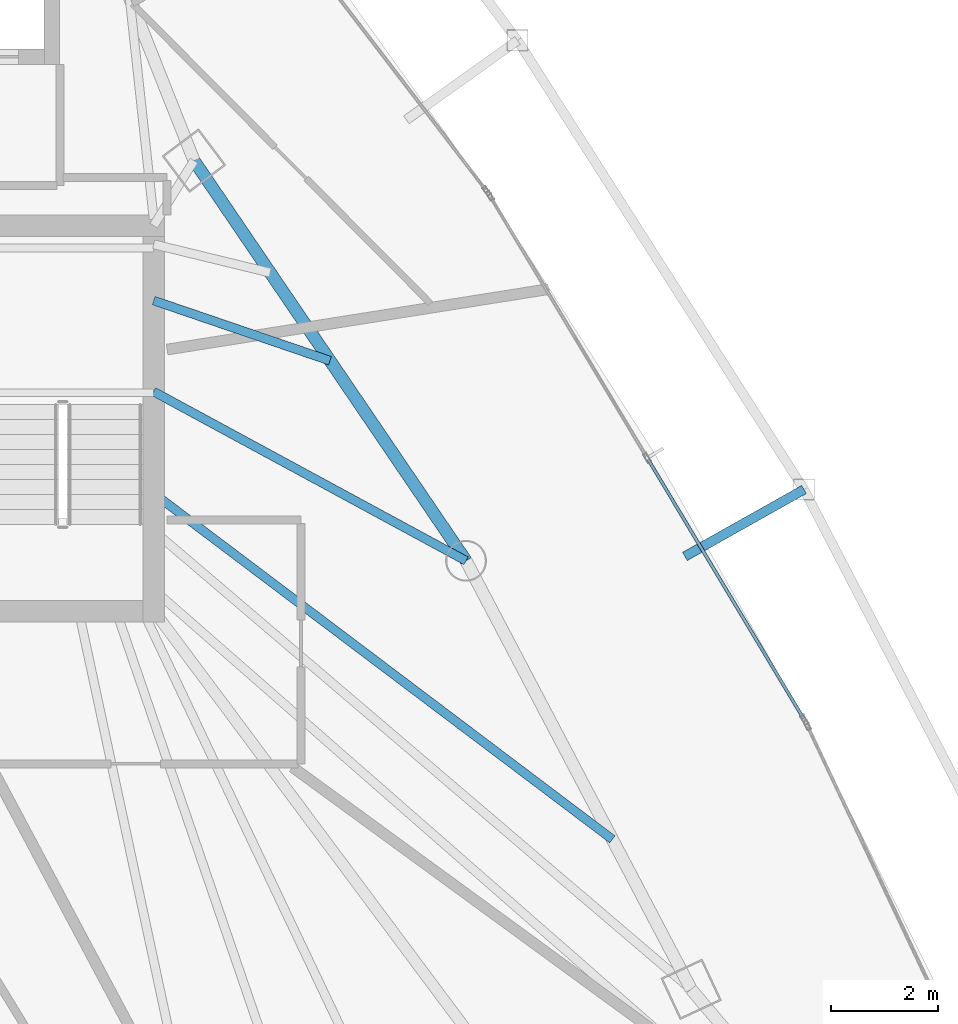
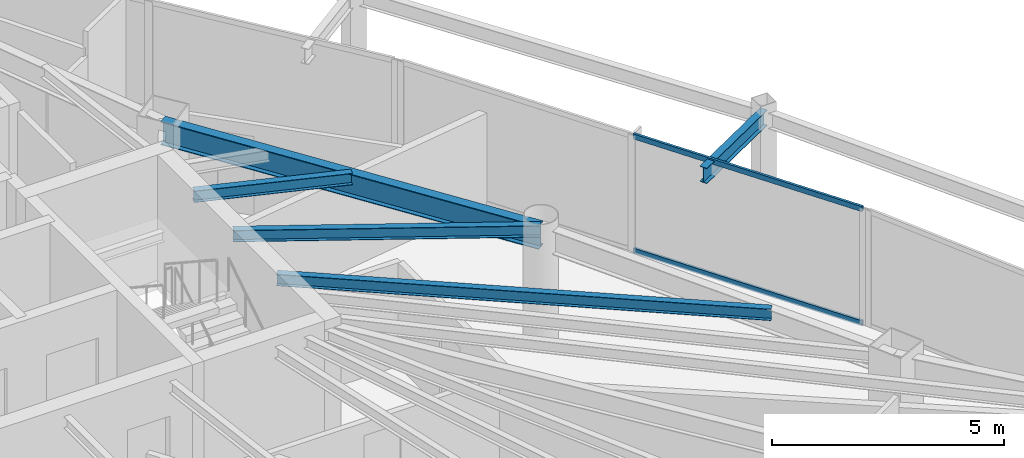
# One storey, part 17 of 33: 5 beams, 2 members, 1 element without a shape of its own.
"""IFC4 building model written with IfcOpenShell, lengths in metres."""

from ifc_helpers import new_model, si_unit, direction, frame, origin, origin_2d, place, context, subcontext, project, spatial, hollow_rectangle, i_section, extrude, material, layer, layer_set, material_profile, profile_set, type_object, element, aggregate, save


model = new_model("IFC4")

# Units and contexts
model_context = context("Model", 3, precision=1e-05, world=origin(), true_north=direction((0.0, 1.0)))
body_context = subcontext(model_context, "Body", "Model", "MODEL_VIEW")
ifc_project = project(units=[si_unit("LENGTHUNIT", "METRE"), si_unit("AREAUNIT", "SQUARE_METRE"), si_unit("VOLUMEUNIT", "CUBIC_METRE"), si_unit("PLANEANGLEUNIT", "RADIAN"), si_unit("MASSUNIT", "GRAM", prefix="KILO")], contexts=[model_context])

# Site, building, storey
site_placement = place(None, origin())
site = spatial("IfcSite", under=ifc_project, at=site_placement, CompositionType="ELEMENT")
building_placement = place(site_placement, origin())
building = spatial("IfcBuilding", under=site, at=building_placement, Name="Orvanel Arch Residences", CompositionType="ELEMENT")
storey_placement = place(building_placement, frame((0.0, 0.0, 116.60009765625)))
storey = spatial("IfcBuildingStorey", under=building, at=storey_placement, Name="L32", CompositionType="ELEMENT", Elevation=116.60009765625)

# Beams
ifc_material_1 = material(Name="Structural steel AS/NZS 3679.1 Grade 300 (300 MPa)", Category="steel")
ifc_material_profile_1 = material_profile(ifc_material_1, i_section(OverallWidth=0.1650390625, OverallDepth=0.303955078125, WebThickness=0.006103515625, FlangeThickness=0.01025390625, at=origin_2d()), Name="310UB40.4")
ifc_profile_set_1 = profile_set([ifc_material_profile_1], Name="Structural steel AS/NZS 3679.1 Grade 300 (300 MPa)")
beam_type_1 = type_object("IfcBeamType", Name="BJ-310UB", PredefinedType="JOIST", material=ifc_profile_set_1)
beam_1_placement = place(storey_placement, frame((39.60009765625, 30.800048828125, 2.907958984375), z_axis=(0.87925534649, -0.476350748576, 0.0), x_axis=(0.476350748576, 0.87925534649, 0.0)))
element("IfcBeam", 1, at=beam_1_placement, inside=storey, type_object=beam_type_1, Name="L32 NE Wing Floor Joist", PredefinedType="JOIST", context=body_context, shape_type="SweptSolid", body=[
    extrude(i_section(OverallWidth=0.1650390625, OverallDepth=0.303955078125, WebThickness=0.006103515625, FlangeThickness=0.01025390625, at=origin_2d()), origin(), (0.0, 0.0, 1.0), 6.631591796875),
])
beam_2_placement = place(storey_placement, frame((39.60009765625, 32.5, 2.907958984375), z_axis=(0.9464126781, -0.322959815969, 0.0), x_axis=(0.322959815969, 0.9464126781, 0.0)))
element("IfcBeam", 2, at=beam_2_placement, inside=storey, type_object=beam_type_1, Name="L32 ENE Wing Floor Joist", PredefinedType="JOIST", context=body_context, shape_type="SweptSolid", body=[
    extrude(i_section(OverallWidth=0.1650390625, OverallDepth=0.303955078125, WebThickness=0.006103515625, FlangeThickness=0.01025390625, at=origin_2d()), origin(), (0.0, 0.0, 1.0), 3.477294921875),
])
beam_3_placement = place(storey_placement, frame((39.60009765625, 28.89990234375, 2.907958984375), z_axis=(0.798363428886, -0.602175917334, 0.0), x_axis=(0.602175917334, 0.798363428886, 0.0)))
element("IfcBeam", 3, at=beam_3_placement, inside=storey, type_object=beam_type_1, Name="L32 CTE Wing Floor Joist", PredefinedType="JOIST", context=body_context, shape_type="SweptSolid", body=[
    extrude(i_section(OverallWidth=0.1650390625, OverallDepth=0.303955078125, WebThickness=0.006103515625, FlangeThickness=0.01025390625, at=origin_2d()), origin(), (0.0, 0.0, 1.0), 10.724365234375),
])
ifc_material_profile_2 = material_profile(ifc_material_1, i_section(OverallWidth=0.177978515625, OverallDepth=0.406005859375, WebThickness=0.0078125, FlangeThickness=0.0126953125, at=origin_2d()), Name="410UB59.7")
ifc_profile_set_2 = profile_set([ifc_material_profile_2], Name="Structural steel AS/NZS 3679.1 Grade 300 (300 MPa)")
beam_type_2 = type_object("IfcBeamType", Name="OB-410UB-EXT", PredefinedType="SPANDREL", material=ifc_profile_set_2)
beam_4_placement = place(storey_placement, frame((49.51708984375, 27.722900390625, 2.85693359375), z_axis=(0.871639445711, 0.490147607034, 0.0), x_axis=(-0.490147607034, 0.871639445711, 0.0)))
element("IfcBeam", 4, at=beam_4_placement, inside=storey, type_object=beam_type_2, Name="L32 Outer Frame Radial Tie Beam 10", PredefinedType="SPANDREL", context=body_context, shape_type="SweptSolid", body=[
    extrude(i_section(OverallWidth=0.177978515625, OverallDepth=0.406005859375, WebThickness=0.0078125, FlangeThickness=0.0126953125, at=origin_2d()), origin(), (0.0, 0.0, 1.0), 2.55029296875),
])
ifc_material_profile_3 = material_profile(ifc_material_1, i_section(OverallWidth=0.22900390625, OverallDepth=0.612060546875, WebThickness=0.011962890625, FlangeThickness=0.01953125, at=origin_2d()), Name="610UB125")
ifc_profile_set_3 = profile_set([ifc_material_profile_3], Name="Structural steel AS/NZS 3679.1 Grade 300 (300 MPa)")
beam_type_3 = type_object("IfcBeamType", Name="SP-610UB", PredefinedType="SPANDREL", material=ifc_profile_set_3)
beam_5_placement = place(storey_placement, frame((45.430908203125, 27.64111328125, 2.75390625), z_axis=(-0.562154793153, 0.827032035978, 0.0), x_axis=(-0.827032035978, -0.562154793153, 0.0)))
element("IfcBeam", 5, at=beam_5_placement, inside=storey, type_object=beam_type_3, Name="L32 Perimeter Spandrel Beam 12", PredefinedType="SPANDREL", context=body_context, shape_type="SweptSolid", body=[
    extrude(i_section(OverallWidth=0.22900390625, OverallDepth=0.612060546875, WebThickness=0.011962890625, FlangeThickness=0.01953125, at=origin_2d()), origin(), (0.0, 0.0, 1.0), 9.03466796875),
])

# Curtain wall, members
ifc_material_2 = material(Name="Bronze-anodised aluminium AA6063-T6", Category="aluminium")
ifc_layer = layer(ifc_material_2, 0.179931640625)
ifc_layer_set = layer_set([ifc_layer], Name="Bronze-anodised aluminium AA6063-T6")
curtain_wall_type = type_object("IfcCurtainWallType", Name="CW3-MID-SYS", PredefinedType="NOTDEFINED", material=ifc_layer_set)
curtain_wall_placement = place(storey_placement, origin())
curtain_wall = element("IfcCurtainWall", 6, at=curtain_wall_placement, inside=storey, type_object=curtain_wall_type, Name="L32 CW3-MID-SYS Unitised Curtain Wall", PredefinedType="NOTDEFINED")
ifc_material_profile_4 = material_profile(ifc_material_2, hollow_rectangle(XDim=0.06005859375, YDim=0.135009765625, WallThickness=0.00390625, at=origin_2d()), Name="ALU135x60x4")
ifc_profile_set_4 = profile_set([ifc_material_profile_4], Name="Bronze-anodised aluminium AA6063-T6")
member_type = type_object("IfcMemberType", Name="TRN-135x60", PredefinedType="USERDEFINED", material=ifc_profile_set_4)
member_1_placement = place(storey_placement, frame((51.73095703125, 24.698974609375, 0.02978515625), z_axis=(-0.514444792144, 0.857523501623, 0.0), x_axis=(-0.857523501623, -0.514444792144, 0.0)))
member_1 = element("IfcMember", 7, at=member_1_placement, type_object=member_type, Name="CW-S3 transom 1.1", ObjectType="TRANSOM", PredefinedType="USERDEFINED", context=body_context, shape_type="SweptSolid", body=[
    extrude(hollow_rectangle(XDim=0.06005859375, YDim=0.135009765625, WallThickness=0.00390625, at=origin_2d()), origin(), (0.0, 0.0, 1.0), 5.635986328125),
])
member_2_placement = place(storey_placement, frame((51.73095703125, 24.698974609375, 3.02978515625), z_axis=(-0.514444792144, 0.857523501623, 0.0), x_axis=(-0.857523501623, -0.514444792144, 0.0)))
member_2 = element("IfcMember", 8, at=member_2_placement, type_object=member_type, Name="CW-S3 transom 1.2", ObjectType="TRANSOM", PredefinedType="USERDEFINED", context=body_context, shape_type="SweptSolid", body=[
    extrude(hollow_rectangle(XDim=0.06005859375, YDim=0.135009765625, WallThickness=0.00390625, at=origin_2d()), origin(), (0.0, 0.0, 1.0), 5.635986328125),
])
aggregate(curtain_wall, [member_1, member_2])

save(model, "model.ifc")
